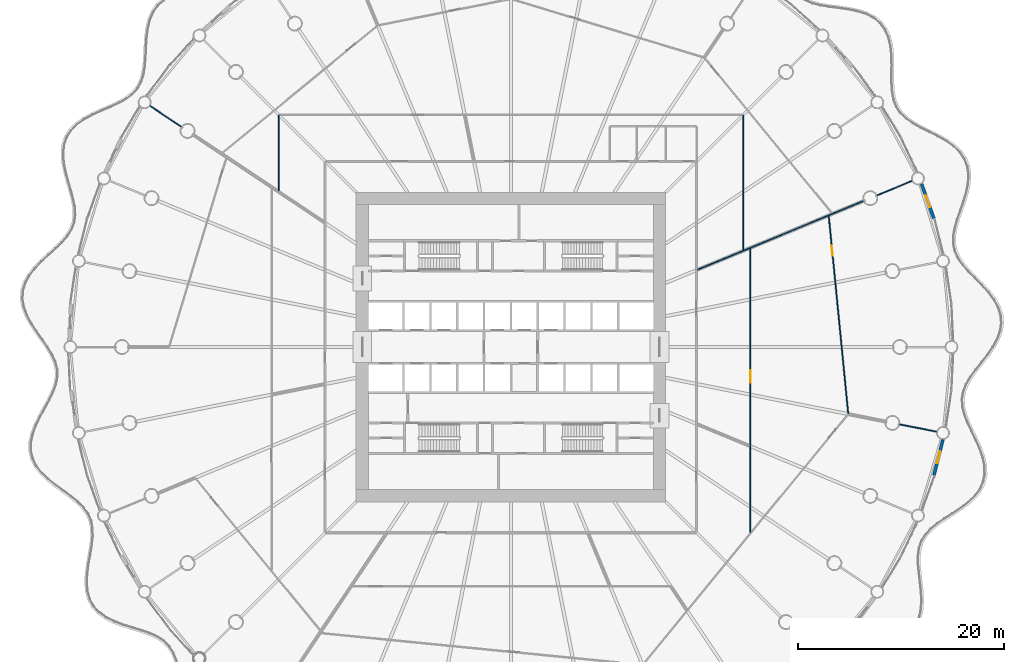
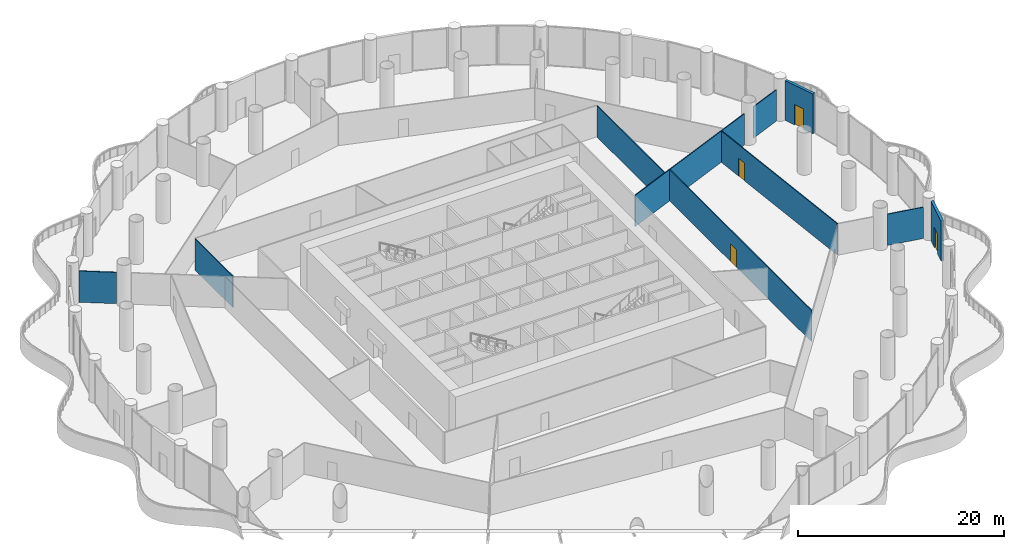
# One storey, part 28 of 38: 10 walls, 4 doors, 4 openings.
"""IFC4 building model written with IfcOpenShell, lengths in metres."""

from ifc_helpers import new_model, si_unit, direction, frame, frame_2d, origin, place, context, subcontext, project, spatial, rectangle, extrude, material, layer, layer_set, type_object, element, fill, save


model = new_model("IFC4")

# Units and contexts
model_context = context("Model", 3, precision=1e-05, world=origin(), true_north=direction((0.0, 1.0)))
body_context = subcontext(model_context, "Body", "Model", "MODEL_VIEW")
ifc_project = project(units=[si_unit("LENGTHUNIT", "METRE"), si_unit("AREAUNIT", "SQUARE_METRE"), si_unit("VOLUMEUNIT", "CUBIC_METRE"), si_unit("PLANEANGLEUNIT", "RADIAN"), si_unit("MASSUNIT", "GRAM", prefix="KILO")], contexts=[model_context])

# Site, building, storey
site_placement = place(None, origin())
site = spatial("IfcSite", under=ifc_project, at=site_placement, CompositionType="ELEMENT")
building_placement = place(site_placement, origin())
building = spatial("IfcBuilding", under=site, at=building_placement, Name="Corvane Civic Tower", CompositionType="ELEMENT")
storey_placement = place(building_placement, frame((0.0, 0.0, 32.0)))
storey = spatial("IfcBuildingStorey", under=building, at=storey_placement, Name="L06", CompositionType="ELEMENT", Elevation=32.0)

# Wall, opening, door
ifc_material_1 = material(Name="Terracotta cladding", Category="masonry")
ifc_layer_1 = layer(ifc_material_1, 0.300048828125)
ifc_layer_set_1 = layer_set([ifc_layer_1], Name="Terracotta cladding")
wall_type_1 = type_object("IfcWallType", Name="PODIUM-W-DRUMDOOR-300", PredefinedType="SOLIDWALL", material=ifc_layer_set_1)
wall_1_placement = place(storey_placement, frame((39.80126953125, 15.80224609375, 0.0), z_axis=(0.0, 0.0, 1.0), x_axis=(0.336870717414, -0.941550911926, 0.0)))
wall_1 = element("IfcWall", 1, at=wall_1_placement, inside=storey, type_object=wall_type_1, Name="L06 drum door bay wall 07", PredefinedType="SOLIDWALL", context=body_context, shape_type="SweptSolid", body=[
    extrude(rectangle(XDim=3.559814453125, YDim=0.300048828125, at=frame_2d((1.77978515625, 0.0))), origin(), (0.0, 0.0, 1.0), 4.699951171875),
])
opening_1_placement = place(wall_1_placement, frame((1.179931640625, 0.0, 0.0)))
opening_1 = element("IfcOpeningElement", 2, at=opening_1_placement, cuts=wall_1, Name="Opening ED-L06-07", PredefinedType="OPENING", context=body_context, shape_type="SweptSolid", body=[
    extrude(rectangle(XDim=1.199951171875, YDim=2.39990234375, at=frame_2d((0.60009765625, 1.199951171875))), frame((0.0, 0.159912109375, 0.0), z_axis=(0.0, -1.0, 0.0), x_axis=(1.0, 0.0, 0.0)), (0.0, 0.0, 1.0), 0.320068359375),
])
ifc_material_2 = material(Name="Anodised aluminium and glass", Category="aluminium")
door_type_1 = type_object("IfcDoorType", Name="PODIUM-D-BALCONY-1200", OperationType="SINGLE_SWING_LEFT", PredefinedType="DOOR", material=ifc_material_2)
door_1_placement = place(opening_1_placement, origin())
door_1 = element("IfcDoor", 3, at=door_1_placement, inside=storey, type_object=door_type_1, Name="L06 balcony door 07", OperationType="SINGLE_SWING_LEFT", OverallHeight=2.39990234375, OverallWidth=1.199951171875, PredefinedType="DOOR", context=body_context, shape_type="SweptSolid", body=[
    extrude(rectangle(XDim=1.199951171875, YDim=2.39990234375, at=frame_2d((0.60009765625, 1.199951171875))), frame((0.0, 0.02490234375, 0.0), z_axis=(0.0, -1.0, 0.0), x_axis=(1.0, 0.0, 0.0)), (0.0, 0.0, 1.0), 0.050048828125),
])
fill(opening_1, door_1)

wall_2_placement = place(storey_placement, frame((41.872802734375, -8.973388671875, 0.0), z_axis=(0.0, 0.0, 1.0), x_axis=(-0.243003601959, -0.970025385974, 0.0)))
wall_2 = element("IfcWall", 4, at=wall_2_placement, inside=storey, type_object=wall_type_1, Name="L06 drum door bay wall 10", PredefinedType="SOLIDWALL", context=body_context, shape_type="SweptSolid", body=[
    extrude(rectangle(XDim=3.5595703125, YDim=0.300048828125, at=frame_2d((1.77978515625, 0.0))), origin(), (0.0, 0.0, 1.0), 4.699951171875),
])
opening_2_placement = place(wall_2_placement, frame((1.179931640625, 0.0, 0.0)))
opening_2 = element("IfcOpeningElement", 5, at=opening_2_placement, cuts=wall_2, Name="Opening ED-L06-10", PredefinedType="OPENING", context=body_context, shape_type="SweptSolid", body=[
    extrude(rectangle(XDim=1.199951171875, YDim=2.39990234375, at=frame_2d((0.60009765625, 1.199951171875))), frame((0.0, 0.159912109375, 0.0), z_axis=(0.0, -1.0, 0.0), x_axis=(1.0, 0.0, 0.0)), (0.0, 0.0, 1.0), 0.320068359375),
])
door_2_placement = place(opening_2_placement, origin())
door_2 = element("IfcDoor", 6, at=door_2_placement, inside=storey, type_object=door_type_1, Name="L06 balcony door 10", OperationType="SINGLE_SWING_RIGHT", OverallHeight=2.39990234375, OverallWidth=1.199951171875, PredefinedType="DOOR", context=body_context, shape_type="SweptSolid", body=[
    extrude(rectangle(XDim=1.199951171875, YDim=2.39990234375, at=frame_2d((0.60009765625, 1.199951171875))), frame((0.0, 0.02490234375, 0.0), z_axis=(0.0, -1.0, 0.0), x_axis=(1.0, 0.0, 0.0)), (0.0, 0.0, 1.0), 0.050048828125),
])
fill(opening_2, door_2)

ifc_material_3 = material(Name="Plasterboard")
ifc_layer_2 = layer(ifc_material_3, 0.10009765625)
ifc_layer_set_2 = layer_set([ifc_layer_2], Name="Plasterboard")
wall_type_2 = type_object("IfcWallType", Name="Partition 100 plasterboard on studs", PredefinedType="PARTITIONING", material=ifc_layer_set_2)
wall_3_placement = place(storey_placement, frame((23.199951171875, -17.9375, 0.0), z_axis=(0.0, 0.0, 1.0), x_axis=(0.0, 1.0, 0.0)))
wall_3 = element("IfcWall", 7, at=wall_3_placement, inside=storey, type_object=wall_type_2, Name="Partition L06.013", PredefinedType="PARTITIONING", context=body_context, shape_type="SweptSolid", body=[
    extrude(rectangle(XDim=27.472412109375, YDim=0.10009765625, at=frame_2d((13.736328125, 0.0))), origin(), (0.0, 0.0, 1.0), 3.699951171875),
])
opening_3_placement = place(wall_3_placement, frame((14.480712890625, 0.0, 0.0)))
opening_3 = element("IfcOpeningElement", 8, at=opening_3_placement, cuts=wall_3, Name="Opening L06.019", PredefinedType="OPENING", context=body_context, shape_type="SweptSolid", body=[
    extrude(rectangle(XDim=1.199951171875, YDim=2.10009765625, at=frame_2d((0.60009765625, 1.050048828125))), frame((0.0, 0.06005859375, 0.0), z_axis=(0.0, -1.0, 0.0), x_axis=(1.0, 0.0, 0.0)), (0.0, 0.0, 1.0), 0.1201171875),
])
ifc_material_4 = material(Name="Timber", Category="wood")
door_type_2 = type_object("IfcDoorType", Name="Double door 1200", OperationType="NOTDEFINED", PredefinedType="DOOR", material=ifc_material_4)
door_3_placement = place(opening_3_placement, frame((1.199951171875, 0.0, 0.0), z_axis=(0.0, 0.0, 1.0), x_axis=(-1.0, 0.0, 0.0)))
door_3 = element("IfcDoor", 9, at=door_3_placement, inside=storey, type_object=door_type_2, Name="Door L06.019", OperationType="DOUBLE_DOOR_SINGLE_SWING", OverallHeight=2.10009765625, OverallWidth=1.199951171875, PredefinedType="DOOR", context=body_context, shape_type="SweptSolid", body=[
    extrude(rectangle(XDim=1.199951171875, YDim=2.10009765625, at=frame_2d((0.60009765625, 1.050048828125))), frame((0.0, 0.02490234375, 0.0), z_axis=(0.0, -1.0, 0.0), x_axis=(1.0, 0.0, 0.0)), (0.0, 0.0, 1.0), 0.050048828125),
])
fill(opening_3, door_3)

# Wall
wall_4_placement = place(storey_placement, frame((37.671875, -7.493408203125, 0.0), z_axis=(0.0, 0.0, 1.0), x_axis=(0.980784256727, -0.195095468315, 0.0)))
element("IfcWall", 10, at=wall_4_placement, inside=storey, type_object=wall_type_2, Name="Partition L06.019", PredefinedType="PARTITIONING", context=body_context, shape_type="SweptSolid", body=[
    extrude(rectangle(XDim=3.680419921875, YDim=0.10009765625, at=frame_2d((1.84033203125, 0.0))), origin(), (0.0, 0.0, 1.0), 3.699951171875),
])

# Wall, opening, door
wall_5_placement = place(storey_placement, frame((30.8076171875, 12.69091796875, 0.0), z_axis=(0.0, 0.0, 1.0), x_axis=(0.098008110517, -0.99518561599, 0.0)))
wall_5 = element("IfcWall", 11, at=wall_5_placement, inside=storey, type_object=wall_type_2, Name="Partition L06.021", PredefinedType="PARTITIONING", context=body_context, shape_type="SweptSolid", body=[
    extrude(rectangle(XDim=19.250732421875, YDim=0.10009765625, at=frame_2d((9.62548828125, 0.0))), origin(), (0.0, 0.0, 1.0), 3.699951171875),
])
opening_4_placement = place(wall_5_placement, frame((2.878173828125, 0.0, 0.0)))
opening_4 = element("IfcOpeningElement", 12, at=opening_4_placement, cuts=wall_5, Name="Opening L06.016", PredefinedType="OPENING", context=body_context, shape_type="SweptSolid", body=[
    extrude(rectangle(XDim=1.0, YDim=2.10009765625, at=frame_2d((0.5, 1.050048828125))), frame((0.0, 0.06005859375, 0.0), z_axis=(0.0, -1.0, 0.0), x_axis=(1.0, 0.0, 0.0)), (0.0, 0.0, 1.0), 0.1201171875),
])
ifc_material_5 = material(Name="Timber", Category="wood")
door_type_3 = type_object("IfcDoorType", Name="Single door 1000", OperationType="NOTDEFINED", PredefinedType="DOOR", material=ifc_material_5)
door_4_placement = place(opening_4_placement, origin())
door_4 = element("IfcDoor", 13, at=door_4_placement, inside=storey, type_object=door_type_3, Name="Door L06.016", OperationType="SINGLE_SWING_RIGHT", OverallHeight=2.10009765625, OverallWidth=1.0, PredefinedType="DOOR", context=body_context, shape_type="SweptSolid", body=[
    extrude(rectangle(XDim=1.0, YDim=2.10009765625, at=frame_2d((0.5, 1.050048828125))), frame((0.0, 0.02490234375, 0.0), z_axis=(0.0, -1.0, 0.0), x_axis=(1.0, 0.0, 0.0)), (0.0, 0.0, 1.0), 0.050048828125),
])
fill(opening_4, door_4)

# Walls
wall_6_placement = place(storey_placement, frame((18.093994140625, 7.494873046875, 0.0), z_axis=(0.0, 0.0, 1.0), x_axis=(0.923880406754, 0.38268132175, 0.0)))
element("IfcWall", 14, at=wall_6_placement, inside=storey, type_object=wall_type_2, Name="Partition L06.026", PredefinedType="PARTITIONING", context=body_context, shape_type="SweptSolid", body=[
    extrude(rectangle(XDim=17.4052734375, YDim=0.10009765625, at=frame_2d((8.70263671875, 0.0))), origin(), (0.0, 0.0, 1.0), 3.699951171875),
])
wall_7_placement = place(storey_placement, frame((22.5, 9.39453125, 0.0), z_axis=(0.0, 0.0, 1.0), x_axis=(0.0, 1.0, 0.0)))
element("IfcWall", 15, at=wall_7_placement, inside=storey, type_object=wall_type_2, Name="Partition L06.027", PredefinedType="PARTITIONING", context=body_context, shape_type="SweptSolid", body=[
    extrude(rectangle(XDim=13.055419921875, YDim=0.10009765625, at=frame_2d((6.52783203125, 0.0))), origin(), (0.0, 0.0, 1.0), 3.699951171875),
])
wall_8_placement = place(storey_placement, frame((35.486328125, 14.698974609375, 0.0), z_axis=(0.0, 0.0, 1.0), x_axis=(0.923877746385, 0.382687744427, 0.0)))
element("IfcWall", 16, at=wall_8_placement, inside=storey, type_object=wall_type_2, Name="Partition L06.030", PredefinedType="PARTITIONING", context=body_context, shape_type="SweptSolid", body=[
    extrude(rectangle(XDim=3.6796875, YDim=0.10009765625, at=frame_2d((1.83984375, 0.0))), origin(), (0.0, 0.0, 1.0), 3.699951171875),
])
wall_9_placement = place(storey_placement, frame((-22.5, 15.127685546875, 0.0), z_axis=(0.0, 0.0, 1.0), x_axis=(0.0, 1.0, 0.0)))
element("IfcWall", 17, at=wall_9_placement, inside=storey, type_object=wall_type_2, Name="Partition L06.031", PredefinedType="PARTITIONING", context=body_context, shape_type="SweptSolid", body=[
    extrude(rectangle(XDim=7.322265625, YDim=0.10009765625, at=frame_2d((3.6611328125, 0.0))), origin(), (0.0, 0.0, 1.0), 3.699951171875),
])
wall_10_placement = place(storey_placement, frame((-34.99658203125, 23.3837890625, 0.0), z_axis=(0.0, 0.0, 1.0), x_axis=(0.831508927146, -0.555511389691, 0.0)))
element("IfcWall", 18, at=wall_10_placement, inside=storey, type_object=wall_type_2, Name="Partition L06.039", PredefinedType="PARTITIONING", context=body_context, shape_type="SweptSolid", body=[
    extrude(rectangle(XDim=3.679931640625, YDim=0.10009765625, at=frame_2d((1.83984375, 0.0))), origin(), (0.0, 0.0, 1.0), 3.699951171875),
])

save(model, "model.ifc")
